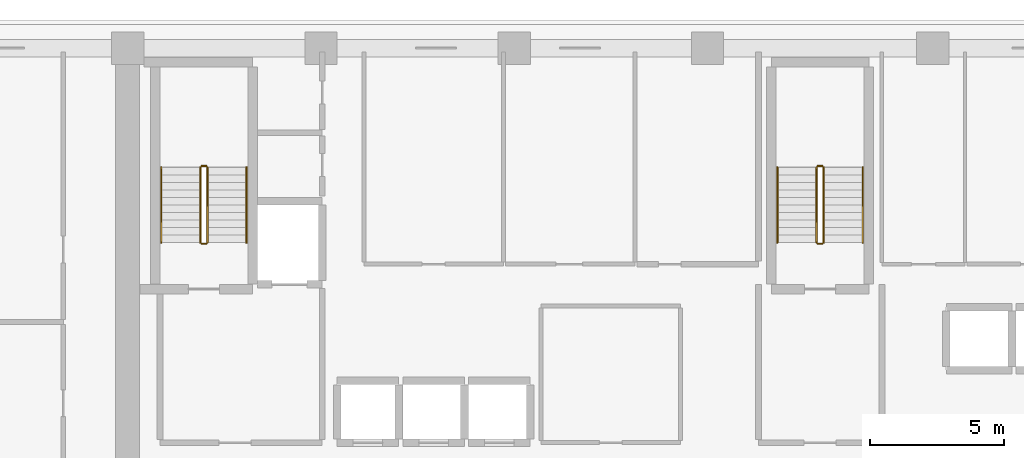
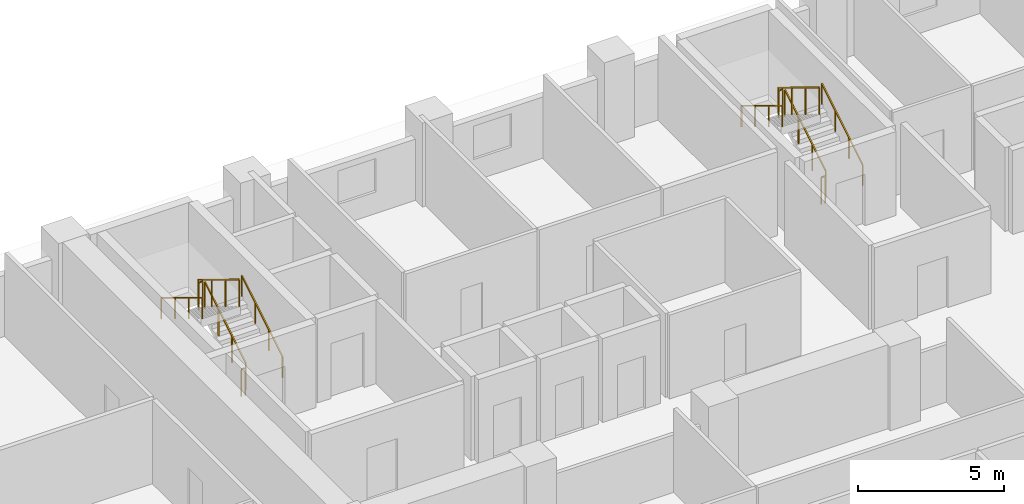
# One storey, part 13 of 15: 12 railings.
"""IFC4 building model written with IfcOpenShell, lengths in metres."""

from ifc_helpers import new_model, si_unit, direction, frame, origin, origin_2d, place, context, subcontext, project, spatial, rectangle, extrude, material, type_object, element, save


model = new_model("IFC4")

# Units and contexts
model_context = context("Model", 3, precision=1e-05, world=origin(), true_north=direction((0.0, 1.0)))
body_context = subcontext(model_context, "Body", "Model", "MODEL_VIEW")
ifc_project = project(units=[si_unit("LENGTHUNIT", "METRE"), si_unit("AREAUNIT", "SQUARE_METRE"), si_unit("VOLUMEUNIT", "CUBIC_METRE"), si_unit("PLANEANGLEUNIT", "RADIAN"), si_unit("MASSUNIT", "GRAM", prefix="KILO")], contexts=[model_context])

# Site, building, storey
site_placement = place(None, origin())
site = spatial("IfcSite", under=ifc_project, at=site_placement, CompositionType="ELEMENT")
building_placement = place(site_placement, origin())
building = spatial("IfcBuilding", under=site, at=building_placement, Name="Kaelvorn Grand Hotel", CompositionType="ELEMENT")
storey_placement = place(building_placement, frame((0.0, 0.0, 104.300048828125)))
storey = spatial("IfcBuildingStorey", under=building, at=storey_placement, Name="L24", CompositionType="ELEMENT", Elevation=104.300048828125)

# Railings
ifc_material = material(Name="Stainless Steel", Category="steel")
railing_type_1 = type_object("IfcRailingType", Name="RL-HANDRAIL-900", PredefinedType="HANDRAIL", material=ifc_material)
railing_1_placement = place(storey_placement, frame((20.6298828125, 41.760009765625, 0.17041015625)))
element("IfcRailing", 1, at=railing_1_placement, inside=storey, type_object=railing_type_1, Name="L24 ST1 stair handrail 1", PredefinedType="HANDRAIL", context=body_context, shape_type="SweptSolid", body=[
    extrude(rectangle(XDim=0.048095703125, YDim=0.048095703125, at=origin_2d()), frame((0.0, 0.0, 0.8759765625), z_axis=(0.0, 0.854169791009, 0.51999420009), x_axis=(-1.0, 0.0, 0.0)), (0.0, 0.0, 1.0), 3.278076171875),
    extrude(rectangle(XDim=0.0419921875, YDim=0.0419921875, at=origin_2d()), origin(), (0.0, 0.0, 1.0), 0.851806640625),
    extrude(rectangle(XDim=0.0419921875, YDim=0.0419921875, at=origin_2d()), frame((0.0, 0.933349609375, 0.568115234375)), (0.0, 0.0, 1.0), 0.851806640625),
    extrude(rectangle(XDim=0.0419921875, YDim=0.0419921875, at=origin_2d()), frame((0.0, 1.86669921875, 1.136474609375)), (0.0, 0.0, 1.0), 0.851806640625),
    extrude(rectangle(XDim=0.0419921875, YDim=0.0419921875, at=origin_2d()), frame((0.0, 2.800048828125, 1.70458984375)), (0.0, 0.0, 1.0), 0.851806640625),
])
railing_2_placement = place(storey_placement, frame((17.449951171875, 44.56005859375, 2.04541015625)))
element("IfcRailing", 2, at=railing_2_placement, inside=storey, type_object=railing_type_1, Name="L24 ST1 stair handrail 2", PredefinedType="HANDRAIL", context=body_context, shape_type="SweptSolid", body=[
    extrude(rectangle(XDim=0.048095703125, YDim=0.048095703125, at=origin_2d()), frame((0.0, 0.0, 0.8759765625), z_axis=(0.0, -0.854169791009, 0.51999420009), x_axis=(1.0, 0.0, 0.0)), (0.0, 0.0, 1.0), 3.278076171875),
    extrude(rectangle(XDim=0.0419921875, YDim=0.0419921875, at=origin_2d()), origin(), (0.0, 0.0, 1.0), 0.851806640625),
    extrude(rectangle(XDim=0.0419921875, YDim=0.0419921875, at=origin_2d()), frame((0.0, -0.933349609375, 0.568115234375)), (0.0, 0.0, 1.0), 0.851806640625),
    extrude(rectangle(XDim=0.0419921875, YDim=0.0419921875, at=origin_2d()), frame((0.0, -1.86669921875, 1.136474609375)), (0.0, 0.0, 1.0), 0.851806640625),
    extrude(rectangle(XDim=0.0419921875, YDim=0.0419921875, at=origin_2d()), frame((0.0, -2.800048828125, 1.70458984375)), (0.0, 0.0, 1.0), 0.851806640625),
])
railing_3_placement = place(storey_placement, frame((43.590087890625, 41.760009765625, 0.17041015625)))
element("IfcRailing", 3, at=railing_3_placement, inside=storey, type_object=railing_type_1, Name="L24 ST2 stair handrail 1", PredefinedType="HANDRAIL", context=body_context, shape_type="SweptSolid", body=[
    extrude(rectangle(XDim=0.048095703125, YDim=0.048095703125, at=origin_2d()), frame((0.0, 0.0, 0.8759765625), z_axis=(0.0, 0.854169791009, 0.51999420009), x_axis=(-1.0, 0.0, 0.0)), (0.0, 0.0, 1.0), 3.278076171875),
    extrude(rectangle(XDim=0.0419921875, YDim=0.0419921875, at=origin_2d()), origin(), (0.0, 0.0, 1.0), 0.851806640625),
    extrude(rectangle(XDim=0.0419921875, YDim=0.0419921875, at=origin_2d()), frame((0.0, 0.933349609375, 0.568115234375)), (0.0, 0.0, 1.0), 0.851806640625),
    extrude(rectangle(XDim=0.0419921875, YDim=0.0419921875, at=origin_2d()), frame((0.0, 1.86669921875, 1.136474609375)), (0.0, 0.0, 1.0), 0.851806640625),
    extrude(rectangle(XDim=0.0419921875, YDim=0.0419921875, at=origin_2d()), frame((0.0, 2.800048828125, 1.70458984375)), (0.0, 0.0, 1.0), 0.851806640625),
])
railing_4_placement = place(storey_placement, frame((40.409912109375, 44.56005859375, 2.04541015625)))
element("IfcRailing", 4, at=railing_4_placement, inside=storey, type_object=railing_type_1, Name="L24 ST2 stair handrail 2", PredefinedType="HANDRAIL", context=body_context, shape_type="SweptSolid", body=[
    extrude(rectangle(XDim=0.048095703125, YDim=0.048095703125, at=origin_2d()), frame((0.0, 0.0, 0.8759765625), z_axis=(0.0, -0.854169791009, 0.51999420009), x_axis=(1.0, 0.0, 0.0)), (0.0, 0.0, 1.0), 3.278076171875),
    extrude(rectangle(XDim=0.0419921875, YDim=0.0419921875, at=origin_2d()), origin(), (0.0, 0.0, 1.0), 0.851806640625),
    extrude(rectangle(XDim=0.0419921875, YDim=0.0419921875, at=origin_2d()), frame((0.0, -0.933349609375, 0.568115234375)), (0.0, 0.0, 1.0), 0.851806640625),
    extrude(rectangle(XDim=0.0419921875, YDim=0.0419921875, at=origin_2d()), frame((0.0, -1.86669921875, 1.136474609375)), (0.0, 0.0, 1.0), 0.851806640625),
    extrude(rectangle(XDim=0.0419921875, YDim=0.0419921875, at=origin_2d()), frame((0.0, -2.800048828125, 1.70458984375)), (0.0, 0.0, 1.0), 0.851806640625),
])
railing_type_2 = type_object("IfcRailingType", Name="RL-STAIR-GUARD-1150", PredefinedType="BALUSTRADE", material=ifc_material)
railing_5_placement = place(storey_placement, frame((19.169921875, 41.760009765625, 0.17041015625)))
element("IfcRailing", 5, at=railing_5_placement, inside=storey, type_object=railing_type_2, Name="L24 ST1 stair guard 1", PredefinedType="BALUSTRADE", context=body_context, shape_type="SweptSolid", body=[
    extrude(rectangle(XDim=0.048095703125, YDim=0.048095703125, at=origin_2d()), frame((0.0, 0.0, 1.1259765625), z_axis=(0.0, 0.854169791009, 0.51999420009), x_axis=(-1.0, 0.0, 0.0)), (0.0, 0.0, 1.0), 3.278076171875),
    extrude(rectangle(XDim=0.0419921875, YDim=0.0419921875, at=origin_2d()), origin(), (0.0, 0.0, 1.0), 1.101806640625),
    extrude(rectangle(XDim=0.0419921875, YDim=0.0419921875, at=origin_2d()), frame((0.0, 0.933349609375, 0.568115234375)), (0.0, 0.0, 1.0), 1.101806640625),
    extrude(rectangle(XDim=0.0419921875, YDim=0.0419921875, at=origin_2d()), frame((0.0, 1.86669921875, 1.136474609375)), (0.0, 0.0, 1.0), 1.101806640625),
    extrude(rectangle(XDim=0.0419921875, YDim=0.0419921875, at=origin_2d()), frame((0.0, 2.800048828125, 1.70458984375)), (0.0, 0.0, 1.0), 1.101806640625),
])
railing_6_placement = place(storey_placement, frame((19.1201171875, 44.610107421875, 1.875)))
element("IfcRailing", 6, at=railing_6_placement, inside=storey, type_object=railing_type_2, Name="L24 ST1 stair guard 2", PredefinedType="BALUSTRADE", context=body_context, shape_type="SweptSolid", body=[
    extrude(rectangle(XDim=0.048095703125, YDim=0.048095703125, at=origin_2d()), frame((0.0, 0.0, 1.1259765625), z_axis=(-1.0, 0.0, 0.0), x_axis=(0.0, -1.0, 0.0)), (0.0, 0.0, 1.0), 0.16015625),
    extrude(rectangle(XDim=0.0419921875, YDim=0.0419921875, at=origin_2d()), origin(), (0.0, 0.0, 1.0), 1.101806640625),
    extrude(rectangle(XDim=0.0419921875, YDim=0.0419921875, at=origin_2d()), frame((-0.16015625, 0.0, 0.0)), (0.0, 0.0, 1.0), 1.101806640625),
])
railing_7_placement = place(storey_placement, frame((18.909912109375, 44.56005859375, 2.04541015625)))
element("IfcRailing", 7, at=railing_7_placement, inside=storey, type_object=railing_type_2, Name="L24 ST1 stair guard 3", PredefinedType="BALUSTRADE", context=body_context, shape_type="SweptSolid", body=[
    extrude(rectangle(XDim=0.048095703125, YDim=0.048095703125, at=origin_2d()), frame((0.0, 0.0, 1.1259765625), z_axis=(0.0, -0.854169791009, 0.51999420009), x_axis=(1.0, 0.0, 0.0)), (0.0, 0.0, 1.0), 3.278076171875),
    extrude(rectangle(XDim=0.0419921875, YDim=0.0419921875, at=origin_2d()), origin(), (0.0, 0.0, 1.0), 1.101806640625),
    extrude(rectangle(XDim=0.0419921875, YDim=0.0419921875, at=origin_2d()), frame((0.0, -0.933349609375, 0.568115234375)), (0.0, 0.0, 1.0), 1.101806640625),
    extrude(rectangle(XDim=0.0419921875, YDim=0.0419921875, at=origin_2d()), frame((0.0, -1.86669921875, 1.136474609375)), (0.0, 0.0, 1.0), 1.101806640625),
    extrude(rectangle(XDim=0.0419921875, YDim=0.0419921875, at=origin_2d()), frame((0.0, -2.800048828125, 1.70458984375)), (0.0, 0.0, 1.0), 1.101806640625),
])
railing_8_placement = place(storey_placement, frame((19.1201171875, 41.7099609375, 0.0)))
element("IfcRailing", 8, at=railing_8_placement, inside=storey, type_object=railing_type_2, Name="L24 ST1 stair guard 4", PredefinedType="BALUSTRADE", context=body_context, shape_type="SweptSolid", body=[
    extrude(rectangle(XDim=0.048095703125, YDim=0.048095703125, at=origin_2d()), frame((0.0, 0.0, 1.1259765625), z_axis=(-1.0, 0.0, 0.0), x_axis=(0.0, -1.0, 0.0)), (0.0, 0.0, 1.0), 0.16015625),
    extrude(rectangle(XDim=0.0419921875, YDim=0.0419921875, at=origin_2d()), origin(), (0.0, 0.0, 1.0), 1.101806640625),
    extrude(rectangle(XDim=0.0419921875, YDim=0.0419921875, at=origin_2d()), frame((-0.16015625, 0.0, 0.0)), (0.0, 0.0, 1.0), 1.101806640625),
])
railing_9_placement = place(storey_placement, frame((42.1298828125, 41.760009765625, 0.17041015625)))
element("IfcRailing", 9, at=railing_9_placement, inside=storey, type_object=railing_type_2, Name="L24 ST2 stair guard 1", PredefinedType="BALUSTRADE", context=body_context, shape_type="SweptSolid", body=[
    extrude(rectangle(XDim=0.048095703125, YDim=0.048095703125, at=origin_2d()), frame((0.0, 0.0, 1.1259765625), z_axis=(0.0, 0.854169791009, 0.51999420009), x_axis=(-1.0, 0.0, 0.0)), (0.0, 0.0, 1.0), 3.278076171875),
    extrude(rectangle(XDim=0.0419921875, YDim=0.0419921875, at=origin_2d()), origin(), (0.0, 0.0, 1.0), 1.101806640625),
    extrude(rectangle(XDim=0.0419921875, YDim=0.0419921875, at=origin_2d()), frame((0.0, 0.933349609375, 0.568115234375)), (0.0, 0.0, 1.0), 1.101806640625),
    extrude(rectangle(XDim=0.0419921875, YDim=0.0419921875, at=origin_2d()), frame((0.0, 1.86669921875, 1.136474609375)), (0.0, 0.0, 1.0), 1.101806640625),
    extrude(rectangle(XDim=0.0419921875, YDim=0.0419921875, at=origin_2d()), frame((0.0, 2.800048828125, 1.70458984375)), (0.0, 0.0, 1.0), 1.101806640625),
])
railing_10_placement = place(storey_placement, frame((42.080078125, 44.610107421875, 1.875)))
element("IfcRailing", 10, at=railing_10_placement, inside=storey, type_object=railing_type_2, Name="L24 ST2 stair guard 2", PredefinedType="BALUSTRADE", context=body_context, shape_type="SweptSolid", body=[
    extrude(rectangle(XDim=0.048095703125, YDim=0.048095703125, at=origin_2d()), frame((0.0, 0.0, 1.1259765625), z_axis=(-1.0, 0.0, 0.0), x_axis=(0.0, -1.0, 0.0)), (0.0, 0.0, 1.0), 0.16015625),
    extrude(rectangle(XDim=0.0419921875, YDim=0.0419921875, at=origin_2d()), origin(), (0.0, 0.0, 1.0), 1.101806640625),
    extrude(rectangle(XDim=0.0419921875, YDim=0.0419921875, at=origin_2d()), frame((-0.16015625, 0.0, 0.0)), (0.0, 0.0, 1.0), 1.101806640625),
])
railing_11_placement = place(storey_placement, frame((41.8701171875, 44.56005859375, 2.04541015625)))
element("IfcRailing", 11, at=railing_11_placement, inside=storey, type_object=railing_type_2, Name="L24 ST2 stair guard 3", PredefinedType="BALUSTRADE", context=body_context, shape_type="SweptSolid", body=[
    extrude(rectangle(XDim=0.048095703125, YDim=0.048095703125, at=origin_2d()), frame((0.0, 0.0, 1.1259765625), z_axis=(0.0, -0.854169791009, 0.51999420009), x_axis=(1.0, 0.0, 0.0)), (0.0, 0.0, 1.0), 3.278076171875),
    extrude(rectangle(XDim=0.0419921875, YDim=0.0419921875, at=origin_2d()), origin(), (0.0, 0.0, 1.0), 1.101806640625),
    extrude(rectangle(XDim=0.0419921875, YDim=0.0419921875, at=origin_2d()), frame((0.0, -0.933349609375, 0.568115234375)), (0.0, 0.0, 1.0), 1.101806640625),
    extrude(rectangle(XDim=0.0419921875, YDim=0.0419921875, at=origin_2d()), frame((0.0, -1.86669921875, 1.136474609375)), (0.0, 0.0, 1.0), 1.101806640625),
    extrude(rectangle(XDim=0.0419921875, YDim=0.0419921875, at=origin_2d()), frame((0.0, -2.800048828125, 1.70458984375)), (0.0, 0.0, 1.0), 1.101806640625),
])
railing_12_placement = place(storey_placement, frame((42.080078125, 41.7099609375, 0.0)))
element("IfcRailing", 12, at=railing_12_placement, inside=storey, type_object=railing_type_2, Name="L24 ST2 stair guard 4", PredefinedType="BALUSTRADE", context=body_context, shape_type="SweptSolid", body=[
    extrude(rectangle(XDim=0.048095703125, YDim=0.048095703125, at=origin_2d()), frame((0.0, 0.0, 1.1259765625), z_axis=(-1.0, 0.0, 0.0), x_axis=(0.0, -1.0, 0.0)), (0.0, 0.0, 1.0), 0.16015625),
    extrude(rectangle(XDim=0.0419921875, YDim=0.0419921875, at=origin_2d()), origin(), (0.0, 0.0, 1.0), 1.101806640625),
    extrude(rectangle(XDim=0.0419921875, YDim=0.0419921875, at=origin_2d()), frame((-0.16015625, 0.0, 0.0)), (0.0, 0.0, 1.0), 1.101806640625),
])

save(model, "model.ifc")
